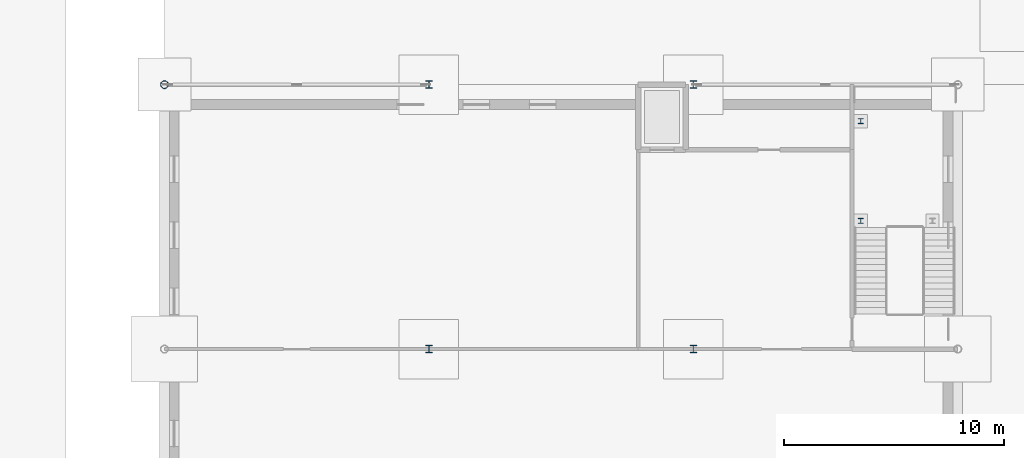
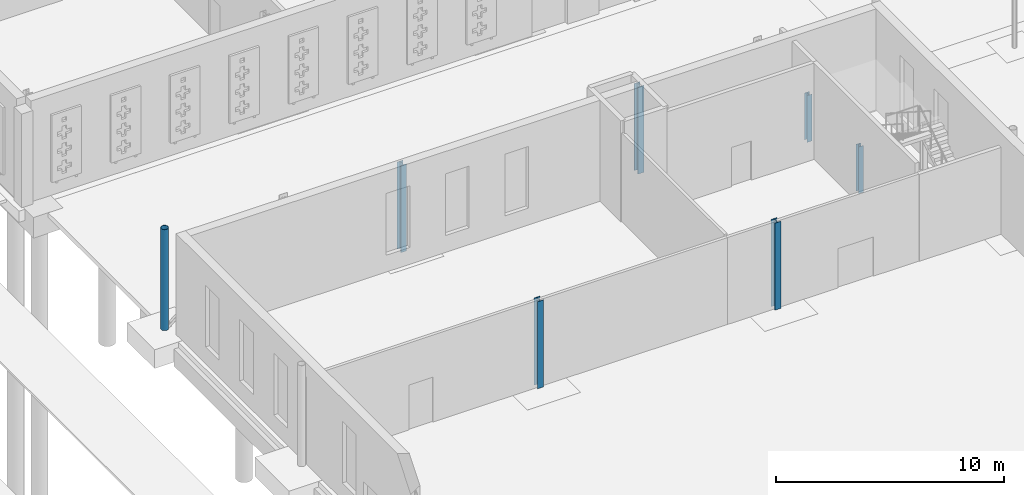
# One storey, part 39 of 132: 7 columns.
"""IFC4 building model written with IfcOpenShell, lengths in metres."""

from ifc_helpers import new_model, si_unit, direction, frame, origin, origin_2d, place, context, subcontext, project, spatial, hollow_circle, i_section, extrude, material, material_profile, profile_set, type_object, element, save


model = new_model("IFC4")

# Units and contexts
model_context = context("Model", 3, precision=1e-05, world=origin(), true_north=direction((0.0, 1.0)))
body_context = subcontext(model_context, "Body", "Model", "MODEL_VIEW")
ifc_project = project(units=[si_unit("LENGTHUNIT", "METRE"), si_unit("AREAUNIT", "SQUARE_METRE"), si_unit("VOLUMEUNIT", "CUBIC_METRE"), si_unit("PLANEANGLEUNIT", "RADIAN"), si_unit("MASSUNIT", "GRAM", prefix="KILO")], contexts=[model_context])

# Site, building, storey
site_placement = place(None, origin())
site = spatial("IfcSite", under=ifc_project, at=site_placement, CompositionType="ELEMENT")
building_placement = place(site_placement, origin())
building = spatial("IfcBuilding", under=site, at=building_placement, Name="Ravi Spectrum Wholesale Market", CompositionType="ELEMENT")
storey_placement = place(building_placement, origin())
storey = spatial("IfcBuildingStorey", under=building, at=storey_placement, Name="L00", CompositionType="ELEMENT", Elevation=0.0)

# Columns
ifc_material_1 = material(Name="Steel S355", Category="steel")
ifc_material_profile_1 = material_profile(ifc_material_1, hollow_circle(Radius=0.177734375, WallThickness=0.012451171875, at=origin_2d()))
ifc_profile_set_1 = profile_set([ifc_material_profile_1], Name="Steel S355")
column_type_1 = type_object("IfcColumnType", Name="CHS 355.6x12.5 column", PredefinedType="COLUMN", material=ifc_profile_set_1)
column_placement = place(storey_placement, frame((162.0, 186.0, 0.0), z_axis=(0.0, 0.0, 1.0), x_axis=(1.0, 0.0, 0.0)))
element("IfcColumn", 1, at=column_placement, inside=storey, type_object=column_type_1, Name="H3-COL-L00-005", PredefinedType="COLUMN", context=body_context, shape_type="SweptSolid", body=[
    extrude(hollow_circle(Radius=0.177734375, WallThickness=0.012451171875, at=origin_2d()), origin(), (0.0, 0.0, 1.0), 5.39990234375),
])
ifc_material_2 = material(Name="Steel S355", Category="steel")
ifc_material_profile_2 = material_profile(ifc_material_2, i_section(OverallWidth=0.239990234375, OverallDepth=0.239990234375, WebThickness=0.010009765625, FlangeThickness=0.01708984375, at=origin_2d()))
ifc_profile_set_2 = profile_set([ifc_material_profile_2], Name="Steel S355")
column_type_2 = type_object("IfcColumnType", Name="HEB 240 column", PredefinedType="COLUMN", material=ifc_profile_set_2)
for number, where, z_axis, x_axis, name in (
    (2, (193.60009765625, 179.820068359375, 0.0), (0.0, 0.0, 1.0), (1.0, 0.0, 0.0), "H3-COL-L00-020"),
    (3, (193.60009765625, 184.343017578125, 0.0), (0.0, 0.0, 1.0), (1.0, 0.0, 0.0), "H3-COL-L00-021"),
):
    element("IfcColumn", number, at=place(storey_placement, frame(where, z_axis=z_axis, x_axis=x_axis)), inside=storey, type_object=column_type_2, Name=name, PredefinedType="COLUMN", context=body_context, shape_type="SweptSolid", body=[
        extrude(i_section(OverallWidth=0.239990234375, OverallDepth=0.239990234375, WebThickness=0.010009765625, FlangeThickness=0.01708984375, at=origin_2d()), origin(), (0.0, 0.0, 1.0), 2.5),
    ])
ifc_material_3 = material(Name="Steel S355", Category="steel")
ifc_material_profile_3 = material_profile(ifc_material_3, i_section(OverallWidth=0.300048828125, OverallDepth=0.340087890625, WebThickness=0.011962890625, FlangeThickness=0.021484375, at=origin_2d()))
ifc_profile_set_3 = profile_set([ifc_material_profile_3], Name="Steel S355")
column_type_3 = type_object("IfcColumnType", Name="HEB 340 column", PredefinedType="COLUMN", material=ifc_profile_set_3)
for number, where, z_axis, x_axis, name in (
    (4, (174.0, 174.0, 0.0), (0.0, 0.0, 1.0), (1.0, 0.0, 0.0), "H3-COL-L00-011"),
    (5, (174.0, 186.0, 0.0), (0.0, 0.0, 1.0), (1.0, 0.0, 0.0), "H3-COL-L00-012"),
    (6, (186.0, 174.0, 0.0), (0.0, 0.0, 1.0), (1.0, 0.0, 0.0), "H3-COL-L00-013"),
    (7, (186.0, 186.0, 0.0), (0.0, 0.0, 1.0), (1.0, 0.0, 0.0), "H3-COL-L00-014"),
):
    element("IfcColumn", number, at=place(storey_placement, frame(where, z_axis=z_axis, x_axis=x_axis)), inside=storey, type_object=column_type_3, Name=name, PredefinedType="COLUMN", context=body_context, shape_type="SweptSolid", body=[
        extrude(i_section(OverallWidth=0.300048828125, OverallDepth=0.340087890625, WebThickness=0.011962890625, FlangeThickness=0.021484375, at=origin_2d()), origin(), (0.0, 0.0, 1.0), 4.64990234375),
    ])

save(model, "model.ifc")
